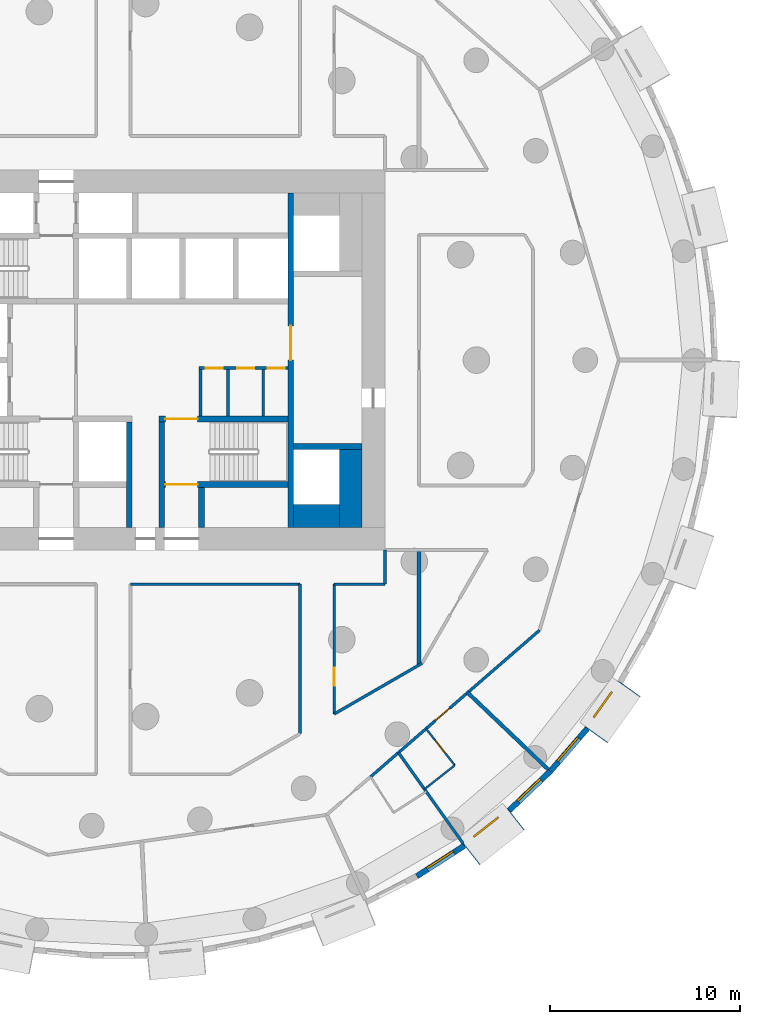
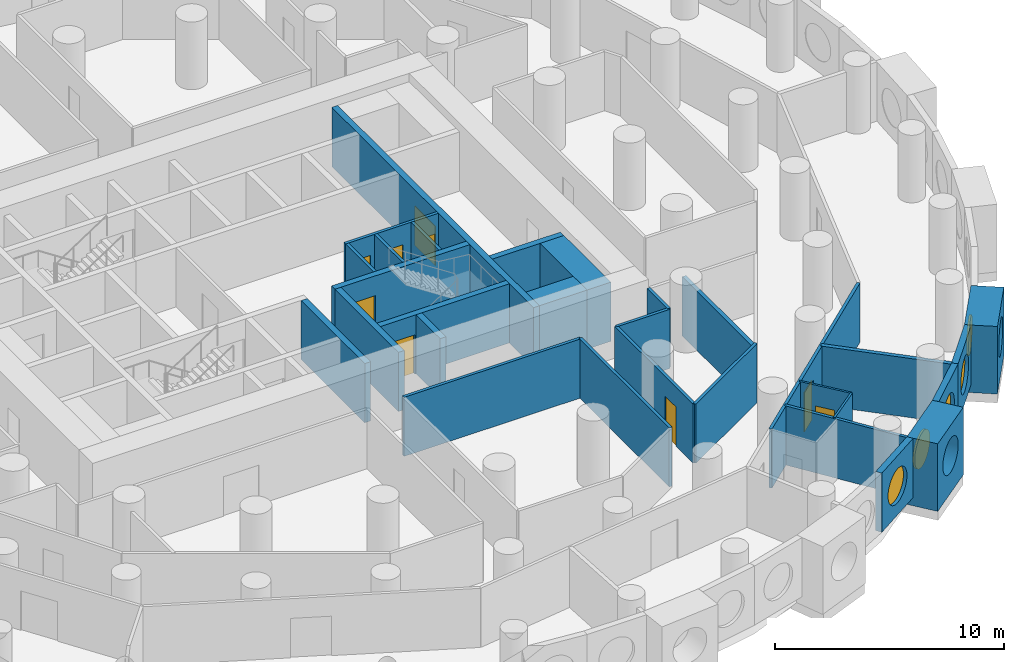
# One storey, part 5 of 11: 30 walls, 9 doors, 5 windows, 14 openings.
"""IFC4 building model written with IfcOpenShell, lengths in metres."""

from ifc_helpers import new_model, si_unit, direction, frame, frame_2d, origin, origin_2d, place, context, subcontext, project, spatial, rectangle, circle, extrude, material, layer, layer_set, type_object, element, fill, save


model = new_model("IFC4")

# Units and contexts
model_context = context("Model", 3, precision=1e-05, world=origin(), true_north=direction((0.0, 1.0)))
body_context = subcontext(model_context, "Body", "Model", "MODEL_VIEW")
ifc_project = project(units=[si_unit("LENGTHUNIT", "METRE"), si_unit("AREAUNIT", "SQUARE_METRE"), si_unit("VOLUMEUNIT", "CUBIC_METRE"), si_unit("PLANEANGLEUNIT", "RADIAN"), si_unit("MASSUNIT", "GRAM", prefix="KILO")], contexts=[model_context])

# Site, building, storey
site_placement = place(None, origin())
site = spatial("IfcSite", under=ifc_project, at=site_placement, CompositionType="ELEMENT")
building_placement = place(site_placement, origin())
building = spatial("IfcBuilding", under=site, at=building_placement, Name="Tracery Tower", CompositionType="ELEMENT")
storey_placement = place(building_placement, frame((0.0, 0.0, 64.199951171875)))
storey = spatial("IfcBuildingStorey", under=building, at=storey_placement, Name="L15", CompositionType="ELEMENT", Elevation=64.199951171875)

# Wall
ifc_material_1 = material(Name="Plasterboard on steel studs", Category="steel")
ifc_layer_1 = layer(ifc_material_1, 0.14990234375)
ifc_layer_set_1 = layer_set([ifc_layer_1], Name="Core room partition 150")
wall_type_1 = type_object("IfcWallType", Name="Core room partition 150", PredefinedType="SOLIDWALL", material=ifc_layer_set_1)
wall_1_placement = place(storey_placement, frame((4.300048828125, -2.949951171875, 0.0), z_axis=(0.0, 0.0, 1.0), x_axis=(0.0, 1.0, 0.0)))
element("IfcWall", 1, at=wall_1_placement, inside=storey, type_object=wall_type_1, Name="L15 slot W", PredefinedType="SOLIDWALL", context=body_context, shape_type="SweptSolid", body=[
    extrude(rectangle(XDim=2.449951171875, YDim=0.14990234375, at=frame_2d((1.22509765625, 0.0))), origin(), (0.0, 0.0, 1.0), 3.150146484375),
])

# Wall, openings, doors
wall_2_placement = place(storey_placement, frame((4.22509765625, -0.425048828125, 0.0), z_axis=(0.0, 0.0, 1.0), x_axis=(1.0, 0.0, 0.0)))
wall_2 = element("IfcWall", 2, at=wall_2_placement, inside=storey, type_object=wall_type_1, Name="L15 slot N", PredefinedType="SOLIDWALL", context=body_context, shape_type="SweptSolid", body=[
    extrude(rectangle(XDim=4.6748046875, YDim=0.14990234375, at=frame_2d((2.33740234375, 0.0))), origin(), (0.0, 0.0, 1.0), 3.150146484375),
])
opening_1_placement = place(wall_2_placement, frame((0.35009765625, 0.0, 0.0)))
opening_1 = element("IfcOpeningElement", 3, at=opening_1_placement, cuts=wall_2, Name="Opening KD27", PredefinedType="OPENING", context=body_context, shape_type="SweptSolid", body=[
    extrude(rectangle(XDim=0.89990234375, YDim=2.10009765625, at=frame_2d((0.449951171875, 1.050048828125))), frame((0.0, 0.074951171875, 0.0), z_axis=(0.0, -1.0, 0.0), x_axis=(1.0, 0.0, 0.0)), (0.0, 0.0, 1.0), 0.14990234375),
])
opening_2_placement = place(wall_2_placement, frame((2.0, 0.0, 0.0)))
opening_2 = element("IfcOpeningElement", 4, at=opening_2_placement, cuts=wall_2, Name="Opening KD21", PredefinedType="OPENING", context=body_context, shape_type="SweptSolid", body=[
    extrude(rectangle(XDim=0.89990234375, YDim=2.10009765625, at=frame_2d((0.449951171875, 1.050048828125))), frame((0.0, 0.074951171875, 0.0), z_axis=(0.0, -1.0, 0.0), x_axis=(1.0, 0.0, 0.0)), (0.0, 0.0, 1.0), 0.14990234375),
])
opening_3_placement = place(wall_2_placement, frame((3.612548828125, 0.0, 0.0)))
opening_3 = element("IfcOpeningElement", 5, at=opening_3_placement, cuts=wall_2, Name="Opening KD27", PredefinedType="OPENING", context=body_context, shape_type="SweptSolid", body=[
    extrude(rectangle(XDim=0.89990234375, YDim=2.10009765625, at=frame_2d((0.449951171875, 1.050048828125))), frame((0.0, 0.074951171875, 0.0), z_axis=(0.0, -1.0, 0.0), x_axis=(1.0, 0.0, 0.0)), (0.0, 0.0, 1.0), 0.14990234375),
])
ifc_material_2 = material(Name="Timber door leaf", Category="wood")
door_type_1 = type_object("IfcDoorType", Name="Core WC door 900", OperationType="NOTDEFINED", PredefinedType="DOOR", material=ifc_material_2)
door_1_placement = place(opening_2_placement, origin())
door_1 = element("IfcDoor", 6, at=door_1_placement, inside=storey, type_object=door_type_1, Name="Core door", OperationType="SINGLE_SWING_LEFT", OverallHeight=2.10009765625, OverallWidth=0.89990234375, PredefinedType="DOOR", context=body_context, shape_type="SweptSolid", body=[
    extrude(rectangle(XDim=0.89990234375, YDim=2.10009765625, at=frame_2d((0.449951171875, 1.050048828125))), frame((0.0, 0.02490234375, 0.0), z_axis=(0.0, -1.0, 0.0), x_axis=(1.0, 0.0, 0.0)), (0.0, 0.0, 1.0), 0.050048828125),
])
fill(opening_2, door_1)
ifc_material_3 = material(Name="Timber door leaf", Category="wood")
door_type_2 = type_object("IfcDoorType", Name="Core store door 900", OperationType="NOTDEFINED", PredefinedType="DOOR", material=ifc_material_3)
door_2_placement = place(opening_1_placement, origin())
door_2 = element("IfcDoor", 7, at=door_2_placement, inside=storey, type_object=door_type_2, Name="Core door", OperationType="SINGLE_SWING_RIGHT", OverallHeight=2.10009765625, OverallWidth=0.89990234375, PredefinedType="DOOR", context=body_context, shape_type="SweptSolid", body=[
    extrude(rectangle(XDim=0.89990234375, YDim=2.10009765625, at=frame_2d((0.449951171875, 1.050048828125))), frame((0.0, 0.02490234375, 0.0), z_axis=(0.0, -1.0, 0.0), x_axis=(1.0, 0.0, 0.0)), (0.0, 0.0, 1.0), 0.050048828125),
])
fill(opening_1, door_2)
door_3_placement = place(opening_3_placement, origin())
door_3 = element("IfcDoor", 8, at=door_3_placement, inside=storey, type_object=door_type_2, Name="Core door", OperationType="SINGLE_SWING_RIGHT", OverallHeight=2.10009765625, OverallWidth=0.89990234375, PredefinedType="DOOR", context=body_context, shape_type="SweptSolid", body=[
    extrude(rectangle(XDim=0.89990234375, YDim=2.10009765625, at=frame_2d((0.449951171875, 1.050048828125))), frame((0.0, 0.02490234375, 0.0), z_axis=(0.0, -1.0, 0.0), x_axis=(1.0, 0.0, 0.0)), (0.0, 0.0, 1.0), 0.050048828125),
])
fill(opening_3, door_3)

# Walls
for number, where, z_axis, x_axis, name in (
    (9, (5.75, -2.949951171875, 0.0), (0.0, 0.0, 1.0), (0.0, 1.0, 0.0), "L15 slot sep 1"),
    (10, (7.60009765625, -2.949951171875, 0.0), (0.0, 0.0, 1.0), (0.0, 1.0, 0.0), "L15 slot sep 2"),
):
    element("IfcWall", number, at=place(storey_placement, frame(where, z_axis=z_axis, x_axis=x_axis)), inside=storey, type_object=wall_type_1, Name=name, PredefinedType="SOLIDWALL", context=body_context, shape_type="SweptSolid", body=[
        extrude(rectangle(XDim=2.449951171875, YDim=0.14990234375, at=frame_2d((1.22509765625, 0.0))), origin(), (0.0, 0.0, 1.0), 3.150146484375),
    ])
ifc_material_4 = material(Name="Concrete C60/75", Category="concrete")
ifc_layer_2 = layer(ifc_material_4, 1.199951171875)
ifc_layer_set_2 = layer_set([ifc_layer_2], Name="Core strip wall 1200 C60")
wall_type_2 = type_object("IfcWallType", Name="Core strip wall 1200 C60", PredefinedType="SOLIDWALL", material=ifc_layer_set_2)
wall_3_placement = place(storey_placement, frame((12.199951171875, -8.800048828125, 0.0), z_axis=(0.0, 0.0, 1.0), x_axis=(0.0, 1.0, 0.0)))
element("IfcWall", 11, at=wall_3_placement, inside=storey, type_object=wall_type_2, Name="L15 wing strip +1 -9.4", PredefinedType="SOLIDWALL", context=body_context, shape_type="SweptSolid", body=[
    extrude(rectangle(XDim=4.10009765625, YDim=1.199951171875, at=frame_2d((2.050048828125, 0.0))), origin(), (0.0, 0.0, 1.0), 3.150146484375),
])
wall_4_placement = place(storey_placement, frame((9.199951171875, -8.199951171875, 0.0), z_axis=(0.0, 0.0, 1.0), x_axis=(1.0, 0.0, 0.0)))
element("IfcWall", 12, at=wall_4_placement, inside=storey, type_object=wall_type_2, Name="L15 wing corner +1 -8.2", PredefinedType="SOLIDWALL", context=body_context, shape_type="SweptSolid", body=[
    extrude(rectangle(XDim=2.400146484375, YDim=1.199951171875, at=frame_2d((1.2001953125, 0.0))), origin(), (0.0, 0.0, 1.0), 3.150146484375),
])

# Wall, opening, window
ifc_material_5 = material(Name="Precast concrete C50/60", Category="concrete")
ifc_layer_3 = layer(ifc_material_5, 1.449951171875)
ifc_layer_set_3 = layer_set([ifc_layer_3], Name="Deep-set bay unit 3000 x 3600, slab edge 450")
wall_type_3 = type_object("IfcWallType", Name="Deep-set bay unit 3000 x 3600, slab edge 450", PredefinedType="ELEMENTEDWALL", material=ifc_layer_set_3)
wall_5_placement = place(storey_placement, frame((18.548828125, -26.01318359375, -0.449951171875), z_axis=(0.0, 0.0, 1.0), x_axis=(0.786049992888, 0.618162930529, 0.0)))
wall_5 = element("IfcWall", 13, at=wall_5_placement, inside=storey, type_object=wall_type_3, Name="Deep-set bay unit 57 at L15", PredefinedType="ELEMENTEDWALL", context=body_context, shape_type="SweptSolid", body=[
    extrude(rectangle(XDim=3.0, YDim=1.449951171875, at=frame_2d((1.5, 0.0))), origin(), (0.0, 0.0, 1.0), 3.60009765625),
])
opening_4_placement = place(wall_5_placement, frame((1.5, 0.0, 2.0)))
opening_4 = element("IfcOpeningElement", 14, at=opening_4_placement, cuts=wall_5, Name="Opening WN1", PredefinedType="OPENING", context=body_context, shape_type="SweptSolid", body=[
    extrude(circle(Radius=0.9000244140625, at=origin_2d()), frame((0.0, 0.73486328125, 0.0), z_axis=(0.0, -1.0, 0.0), x_axis=(1.0, 0.0, 0.0)), (0.0, 0.0, 1.0), 1.469970703125),
])
ifc_material_6 = material(Name="Aluminium frame with tinted double glazing", Category="aluminium")
window_type = type_object("IfcWindowType", Name="Round window 1800", PartitioningType="SINGLE_PANEL", PredefinedType="WINDOW", material=ifc_material_6)
window_1_placement = place(opening_4_placement, origin())
window_1 = element("IfcWindow", 15, at=window_1_placement, inside=storey, type_object=window_type, Name="Round window 57 at L15", OverallHeight=1.800048828125, OverallWidth=1.800048828125, PartitioningType="SINGLE_PANEL", PredefinedType="WINDOW", context=body_context, shape_type="SweptSolid", body=[
    extrude(circle(Radius=0.9000244140625, at=origin_2d()), frame((0.0, 0.69482421875, 0.0), z_axis=(0.0, -1.0, 0.0), x_axis=(1.0, 0.0, 0.0)), (0.0, 0.0, 1.0), 0.10009765625),
])
fill(opening_4, window_1)

wall_6_placement = place(storey_placement, frame((25.126220703125, -19.733642578125, -0.449951171875), z_axis=(0.0, 0.0, 1.0), x_axis=(0.580090570606, 0.814551981088, 0.0)))
wall_6 = element("IfcWall", 16, at=wall_6_placement, inside=storey, type_object=wall_type_3, Name="Deep-set bay unit 60 at L15", PredefinedType="ELEMENTEDWALL", context=body_context, shape_type="SweptSolid", body=[
    extrude(rectangle(XDim=3.0, YDim=1.449951171875, at=frame_2d((1.5, 0.0))), origin(), (0.0, 0.0, 1.0), 3.60009765625),
])
opening_5_placement = place(wall_6_placement, frame((1.5, 0.0, 2.0)))
opening_5 = element("IfcOpeningElement", 17, at=opening_5_placement, cuts=wall_6, Name="Opening WN1", PredefinedType="OPENING", context=body_context, shape_type="SweptSolid", body=[
    extrude(circle(Radius=0.9000244140625, at=origin_2d()), frame((0.0, 0.73486328125, 0.0), z_axis=(0.0, -1.0, 0.0), x_axis=(1.0, 0.0, 0.0)), (0.0, 0.0, 1.0), 1.469970703125),
])
window_2_placement = place(opening_5_placement, origin())
window_2 = element("IfcWindow", 18, at=window_2_placement, inside=storey, type_object=window_type, Name="Round window 60 at L15", OverallHeight=1.800048828125, OverallWidth=1.800048828125, PartitioningType="SINGLE_PANEL", PredefinedType="WINDOW", context=body_context, shape_type="SweptSolid", body=[
    extrude(circle(Radius=0.9000244140625, at=origin_2d()), frame((0.0, 0.69482421875, 0.0), z_axis=(0.0, -1.0, 0.0), x_axis=(1.0, 0.0, 0.0)), (0.0, 0.0, 1.0), 0.10009765625),
])
fill(opening_5, window_2)

ifc_material_7 = material(Name="Precast concrete C50/60", Category="concrete")
ifc_layer_4 = layer(ifc_material_7, 0.300048828125)
ifc_layer_set_4 = layer_set([ifc_layer_4], Name="Facade panel 3000 x 3150")
wall_type_4 = type_object("IfcWallType", Name="Facade panel 3000 x 3150", PredefinedType="SOLIDWALL", material=ifc_layer_set_4)
wall_7_placement = place(storey_placement, frame((15.687255859375, -27.171142578125, 0.0), z_axis=(0.0, 0.0, 1.0), x_axis=(0.84122372879, 0.540687190639, 0.0)))
wall_7 = element("IfcWall", 19, at=wall_7_placement, inside=storey, type_object=wall_type_4, Name="Facade panel 56 at L15", PredefinedType="SOLIDWALL", context=body_context, shape_type="SweptSolid", body=[
    extrude(rectangle(XDim=2.979736328125, YDim=0.300048828125, at=frame_2d((1.48974609375, 0.0))), origin(), (0.0, 0.0, 1.0), 3.150146484375),
])
opening_6_placement = place(wall_7_placement, frame((1.48974609375, 0.0, 1.5498046875)))
opening_6 = element("IfcOpeningElement", 20, at=opening_6_placement, cuts=wall_7, Name="Opening WN1", PredefinedType="OPENING", context=body_context, shape_type="SweptSolid", body=[
    extrude(circle(Radius=0.9000244140625, at=origin_2d()), frame((0.0, 0.159912109375, 0.0), z_axis=(0.0, -1.0, 0.0), x_axis=(1.0, 0.0, 0.0)), (0.0, 0.0, 1.0), 0.320068359375),
])
window_3_placement = place(opening_6_placement, origin())
window_3 = element("IfcWindow", 21, at=window_3_placement, inside=storey, type_object=window_type, Name="Round window 56 at L15", OverallHeight=1.800048828125, OverallWidth=1.800048828125, PartitioningType="SINGLE_PANEL", PredefinedType="WINDOW", context=body_context, shape_type="SweptSolid", body=[
    extrude(circle(Radius=0.9000244140625, at=origin_2d()), frame((0.0, 0.1201171875, 0.0), z_axis=(0.0, -1.0, 0.0), x_axis=(1.0, 0.0, 0.0)), (0.0, 0.0, 1.0), 0.10009765625),
])
fill(opening_6, window_3)

wall_8_placement = place(storey_placement, frame((20.55029296875, -23.70703125, 0.0), z_axis=(0.0, 0.0, 1.0), x_axis=(0.723744206617, 0.690068346896, 0.0)))
wall_8 = element("IfcWall", 22, at=wall_8_placement, inside=storey, type_object=wall_type_4, Name="Facade panel 58 at L15", PredefinedType="SOLIDWALL", context=body_context, shape_type="SweptSolid", body=[
    extrude(rectangle(XDim=2.979736328125, YDim=0.300048828125, at=frame_2d((1.48974609375, 0.0))), origin(), (0.0, 0.0, 1.0), 3.150146484375),
])
opening_7_placement = place(wall_8_placement, frame((1.48974609375, 0.0, 1.5498046875)))
opening_7 = element("IfcOpeningElement", 23, at=opening_7_placement, cuts=wall_8, Name="Opening WN1", PredefinedType="OPENING", context=body_context, shape_type="SweptSolid", body=[
    extrude(circle(Radius=0.9000244140625, at=origin_2d()), frame((0.0, 0.159912109375, 0.0), z_axis=(0.0, -1.0, 0.0), x_axis=(1.0, 0.0, 0.0)), (0.0, 0.0, 1.0), 0.320068359375),
])
window_4_placement = place(opening_7_placement, origin())
window_4 = element("IfcWindow", 24, at=window_4_placement, inside=storey, type_object=window_type, Name="Round window 58 at L15", OverallHeight=1.800048828125, OverallWidth=1.800048828125, PartitioningType="SINGLE_PANEL", PredefinedType="WINDOW", context=body_context, shape_type="SweptSolid", body=[
    extrude(circle(Radius=0.9000244140625, at=origin_2d()), frame((0.0, 0.1201171875, 0.0), z_axis=(0.0, -1.0, 0.0), x_axis=(1.0, 0.0, 0.0)), (0.0, 0.0, 1.0), 0.10009765625),
])
fill(opening_7, window_4)

wall_9_placement = place(storey_placement, frame((22.706787109375, -21.65087890625, 0.0), z_axis=(0.0, 0.0, 1.0), x_axis=(0.654830712471, 0.755775587066, 0.0)))
wall_9 = element("IfcWall", 25, at=wall_9_placement, inside=storey, type_object=wall_type_4, Name="Facade panel 59 at L15", PredefinedType="SOLIDWALL", context=body_context, shape_type="SweptSolid", body=[
    extrude(rectangle(XDim=2.979736328125, YDim=0.300048828125, at=frame_2d((1.48974609375, 0.0))), origin(), (0.0, 0.0, 1.0), 3.150146484375),
])
opening_8_placement = place(wall_9_placement, frame((1.48974609375, 0.0, 1.5498046875)))
opening_8 = element("IfcOpeningElement", 26, at=opening_8_placement, cuts=wall_9, Name="Opening WN1", PredefinedType="OPENING", context=body_context, shape_type="SweptSolid", body=[
    extrude(circle(Radius=0.9000244140625, at=origin_2d()), frame((0.0, 0.159912109375, 0.0), z_axis=(0.0, -1.0, 0.0), x_axis=(1.0, 0.0, 0.0)), (0.0, 0.0, 1.0), 0.320068359375),
])
window_5_placement = place(opening_8_placement, origin())
window_5 = element("IfcWindow", 27, at=window_5_placement, inside=storey, type_object=window_type, Name="Round window 59 at L15", OverallHeight=1.800048828125, OverallWidth=1.800048828125, PartitioningType="SINGLE_PANEL", PredefinedType="WINDOW", context=body_context, shape_type="SweptSolid", body=[
    extrude(circle(Radius=0.9000244140625, at=origin_2d()), frame((0.0, 0.1201171875, 0.0), z_axis=(0.0, -1.0, 0.0), x_axis=(1.0, 0.0, 0.0)), (0.0, 0.0, 1.0), 0.10009765625),
])
fill(opening_8, window_5)

# Wall
ifc_material_8 = material(Name="Plasterboard on steel studs", Category="steel")
ifc_layer_5 = layer(ifc_material_8, 0.10009765625)
ifc_layer_set_5 = layer_set([ifc_layer_5], Name="Partition 100 wet wall")
wall_type_5 = type_object("IfcWallType", Name="Partition 100 wet wall", PredefinedType="PARTITIONING", material=ifc_layer_set_5)
wall_10_placement = place(storey_placement, frame((16.0859375, -22.589111328125, 0.0), z_axis=(0.0, 0.0, 1.0), x_axis=(0.785984904201, 0.618245687707, 0.0)))
element("IfcWall", 28, at=wall_10_placement, inside=storey, type_object=wall_type_5, Name="Wet wall RA4-090", PredefinedType="PARTITIONING", context=body_context, shape_type="SweptSolid", body=[
    extrude(rectangle(XDim=2.033203125, YDim=0.10009765625, at=frame_2d((1.0166015625, 0.0))), origin(), (0.0, 0.0, 1.0), 3.150146484375),
])

# Wall, opening, door
wall_11_placement = place(storey_placement, frame((16.16796875, -19.404052734375, 0.0), z_axis=(0.0, 0.0, 1.0), x_axis=(0.618142414415, -0.786066126672, 0.0)))
wall_11 = element("IfcWall", 29, at=wall_11_placement, inside=storey, type_object=wall_type_5, Name="Wet wall RA4-091", PredefinedType="PARTITIONING", context=body_context, shape_type="SweptSolid", body=[
    extrude(rectangle(XDim=2.45263671875, YDim=0.10009765625, at=frame_2d((1.226318359375, 0.0))), origin(), (0.0, 0.0, 1.0), 3.150146484375),
])
opening_9_placement = place(wall_11_placement, frame((0.776611328125, 0.0, 0.0)))
opening_9 = element("IfcOpeningElement", 30, at=opening_9_placement, cuts=wall_11, Name="Opening RA4-32", PredefinedType="OPENING", context=body_context, shape_type="SweptSolid", body=[
    extrude(rectangle(XDim=0.89990234375, YDim=2.0400390625, at=frame_2d((0.449951171875, 1.02001953125))), frame((0.0, 0.050048828125, 0.0), z_axis=(0.0, -1.0, 0.0), x_axis=(1.0, 0.0, 0.0)), (0.0, 0.0, 1.0), 0.10009765625),
])
ifc_material_9 = material(Name="Timber door leaf", Category="wood")
door_type_3 = type_object("IfcDoorType", Name="Door en-suite 900", OperationType="NOTDEFINED", PredefinedType="DOOR", material=ifc_material_9)
door_4_placement = place(opening_9_placement, origin())
door_4 = element("IfcDoor", 31, at=door_4_placement, inside=storey, type_object=door_type_3, Name="En-suite door RA4-32", OperationType="SINGLE_SWING_LEFT", OverallHeight=2.0400390625, OverallWidth=0.89990234375, PredefinedType="DOOR", context=body_context, shape_type="SweptSolid", body=[
    extrude(rectangle(XDim=0.89990234375, YDim=2.0400390625, at=frame_2d((0.449951171875, 1.02001953125))), frame((0.0, 0.02490234375, 0.0), z_axis=(0.0, -1.0, 0.0), x_axis=(1.0, 0.0, 0.0)), (0.0, 0.0, 1.0), 0.050048828125),
])
fill(opening_9, door_4)

# Walls
ifc_material_10 = material(Name="Plasterboard on steel studs", Category="steel")
ifc_layer_6 = layer(ifc_material_10, 0.14990234375)
ifc_layer_set_6 = layer_set([ifc_layer_6], Name="Partition 150 acoustic unit wall")
wall_type_6 = type_object("IfcWallType", Name="Partition 150 acoustic unit wall", PredefinedType="PARTITIONING", material=ifc_layer_set_6)
wall_12_placement = place(storey_placement, frame((14.71533203125, -20.663818359375, 0.0), z_axis=(0.0, 0.0, 1.0), x_axis=(0.57995989616, -0.814645026282, 0.0)))
element("IfcWall", 32, at=wall_12_placement, inside=storey, type_object=wall_type_6, Name="Unit wall RA4-089", PredefinedType="PARTITIONING", context=body_context, shape_type="SweptSolid", body=[
    extrude(rectangle(XDim=5.85693359375, YDim=0.14990234375, at=frame_2d((2.928466796875, 0.0))), origin(), (0.0, 0.0, 1.0), 3.150146484375),
])
ifc_material_11 = material(Name="Plasterboard on steel studs", Category="steel")
ifc_layer_7 = layer(ifc_material_11, 0.14990234375)
ifc_layer_set_7 = layer_set([ifc_layer_7], Name="Partition 150 corridor wall")
wall_type_7 = type_object("IfcWallType", Name="Partition 150 corridor wall", PredefinedType="PARTITIONING", material=ifc_layer_set_7)
wall_13_placement = place(storey_placement, frame((0.60400390625, -11.800048828125, 0.0), z_axis=(0.0, 0.0, 1.0), x_axis=(1.0, 0.0, 0.0)))
element("IfcWall", 33, at=wall_13_placement, inside=storey, type_object=wall_type_7, Name="Corridor wall RA4-007", PredefinedType="PARTITIONING", context=body_context, shape_type="SweptSolid", body=[
    extrude(rectangle(XDim=8.93603515625, YDim=0.14990234375, at=frame_2d((4.468017578125, 0.0))), origin(), (0.0, 0.0, 1.0), 3.150146484375),
])
wall_14_placement = place(storey_placement, frame((14.0, -11.800048828125, 0.0), z_axis=(0.0, 0.0, 1.0), x_axis=(0.0, 1.0, 0.0)))
element("IfcWall", 34, at=wall_14_placement, inside=storey, type_object=wall_type_7, Name="Corridor wall RA4-008", PredefinedType="PARTITIONING", context=body_context, shape_type="SweptSolid", body=[
    extrude(rectangle(XDim=1.800048828125, YDim=0.14990234375, at=frame_2d((0.89990234375, 0.0))), origin(), (0.0, 0.0, 1.0), 3.150146484375),
])
wall_15_placement = place(storey_placement, frame((11.33203125, -11.800048828125, 0.0), z_axis=(0.0, 0.0, 1.0), x_axis=(1.0, 0.0, 0.0)))
element("IfcWall", 35, at=wall_15_placement, inside=storey, type_object=wall_type_7, Name="Corridor wall RA4-009", PredefinedType="PARTITIONING", context=body_context, shape_type="SweptSolid", body=[
    extrude(rectangle(XDim=2.66796875, YDim=0.14990234375, at=frame_2d((1.333984375, 0.0))), origin(), (0.0, 0.0, 1.0), 3.150146484375),
])

# Wall, opening, door
wall_16_placement = place(storey_placement, frame((13.247314453125, -21.939453125, 0.0), z_axis=(0.0, 0.0, 1.0), x_axis=(0.755420750547, 0.655240024451, 0.0)))
wall_16 = element("IfcWall", 36, at=wall_16_placement, inside=storey, type_object=wall_type_7, Name="Corridor wall RA4-024", PredefinedType="PARTITIONING", context=body_context, shape_type="SweptSolid", body=[
    extrude(rectangle(XDim=11.770751953125, YDim=0.14990234375, at=frame_2d((5.88525390625, 0.0))), origin(), (0.0, 0.0, 1.0), 3.150146484375),
])
opening_10_placement = place(wall_16_placement, frame((4.512939453125, 0.0, 0.0)))
opening_10 = element("IfcOpeningElement", 37, at=opening_10_placement, cuts=wall_16, Name="Opening RA4-33", PredefinedType="OPENING", context=body_context, shape_type="SweptSolid", body=[
    extrude(rectangle(XDim=1.0, YDim=2.10009765625, at=frame_2d((0.5, 1.050048828125))), frame((0.0, 0.074951171875, 0.0), z_axis=(0.0, -1.0, 0.0), x_axis=(1.0, 0.0, 0.0)), (0.0, 0.0, 1.0), 0.14990234375),
])
ifc_material_12 = material(Name="Timber door leaf", Category="wood")
door_type_4 = type_object("IfcDoorType", Name="Door unit entrance 1000", OperationType="NOTDEFINED", PredefinedType="DOOR", material=ifc_material_12)
door_5_placement = place(opening_10_placement, origin())
door_5 = element("IfcDoor", 38, at=door_5_placement, inside=storey, type_object=door_type_4, Name="Unit entrance door RA4-33", OperationType="SINGLE_SWING_LEFT", OverallHeight=2.10009765625, OverallWidth=1.0, PredefinedType="DOOR", context=body_context, shape_type="SweptSolid", body=[
    extrude(rectangle(XDim=1.0, YDim=2.10009765625, at=frame_2d((0.5, 1.050048828125))), frame((0.0, 0.02490234375, 0.0), z_axis=(0.0, -1.0, 0.0), x_axis=(1.0, 0.0, 0.0)), (0.0, 0.0, 1.0), 0.050048828125),
])
fill(opening_10, door_5)

# Wall
wall_17_placement = place(storey_placement, frame((9.535888671875, -19.6689453125, 0.0), z_axis=(0.0, 0.0, 1.0), x_axis=(0.0, 1.0, 0.0)))
element("IfcWall", 39, at=wall_17_placement, inside=storey, type_object=wall_type_7, Name="Corridor wall RA4-055", PredefinedType="PARTITIONING", context=body_context, shape_type="SweptSolid", body=[
    extrude(rectangle(XDim=7.868896484375, YDim=0.14990234375, at=frame_2d((3.9345703125, 0.0))), origin(), (0.0, 0.0, 1.0), 3.150146484375),
])

# Wall, opening, door
wall_18_placement = place(storey_placement, frame((11.3359375, -18.6298828125, 0.0), z_axis=(0.0, 0.0, 1.0), x_axis=(0.0, 1.0, 0.0)))
wall_18 = element("IfcWall", 40, at=wall_18_placement, inside=storey, type_object=wall_type_7, Name="Corridor wall RA4-056", PredefinedType="PARTITIONING", context=body_context, shape_type="SweptSolid", body=[
    extrude(rectangle(XDim=6.829833984375, YDim=0.14990234375, at=frame_2d((3.4150390625, 0.0))), origin(), (0.0, 0.0, 1.0), 3.150146484375),
])
opening_11_placement = place(wall_18_placement, frame((1.489990234375, 0.0, 0.0)))
opening_11 = element("IfcOpeningElement", 41, at=opening_11_placement, cuts=wall_18, Name="Opening RA4-06", PredefinedType="OPENING", context=body_context, shape_type="SweptSolid", body=[
    extrude(rectangle(XDim=0.949951171875, YDim=2.10009765625, at=frame_2d((0.47509765625, 1.050048828125))), frame((0.0, 0.074951171875, 0.0), z_axis=(0.0, -1.0, 0.0), x_axis=(1.0, 0.0, 0.0)), (0.0, 0.0, 1.0), 0.14990234375),
])
ifc_material_13 = material(Name="Timber door leaf", Category="wood")
door_type_5 = type_object("IfcDoorType", Name="Door store 950", OperationType="NOTDEFINED", PredefinedType="DOOR", material=ifc_material_13)
door_6_placement = place(opening_11_placement, origin())
door_6 = element("IfcDoor", 42, at=door_6_placement, inside=storey, type_object=door_type_5, Name="Store door RA4-06", OperationType="SINGLE_SWING_RIGHT", OverallHeight=2.10009765625, OverallWidth=0.949951171875, PredefinedType="DOOR", context=body_context, shape_type="SweptSolid", body=[
    extrude(rectangle(XDim=0.949951171875, YDim=2.10009765625, at=frame_2d((0.47509765625, 1.050048828125))), frame((0.0, 0.02490234375, 0.0), z_axis=(0.0, -1.0, 0.0), x_axis=(1.0, 0.0, 0.0)), (0.0, 0.0, 1.0), 0.050048828125),
])
fill(opening_11, door_6)

# Walls
wall_19_placement = place(storey_placement, frame((11.3359375, -18.6298828125, 0.0), z_axis=(0.0, 0.0, 1.0), x_axis=(0.866056911224, 0.499945423543, 0.0)))
element("IfcWall", 43, at=wall_19_placement, inside=storey, type_object=wall_type_7, Name="Corridor wall RA4-057", PredefinedType="PARTITIONING", context=body_context, shape_type="SweptSolid", body=[
    extrude(rectangle(XDim=5.33935546875, YDim=0.14990234375, at=frame_2d((2.669677734375, 0.0))), origin(), (0.0, 0.0, 1.0), 3.150146484375),
])
ifc_material_14 = material(Name="Plasterboard on steel studs", Category="steel")
ifc_layer_8 = layer(ifc_material_14, 0.199951171875)
ifc_layer_set_8 = layer_set([ifc_layer_8], Name="Partition 200 compartment wall")
wall_type_8 = type_object("IfcWallType", Name="Partition 200 compartment wall", PredefinedType="PARTITIONING", material=ifc_layer_set_8)
wall_20_placement = place(storey_placement, frame((15.800048828125, -16.052978515625, 0.0), z_axis=(0.0, 0.0, 1.0), x_axis=(0.0, 1.0, 0.0)))
element("IfcWall", 44, at=wall_20_placement, inside=storey, type_object=wall_type_8, Name="Compartment wall RA4-064", PredefinedType="PARTITIONING", context=body_context, shape_type="SweptSolid", body=[
    extrude(rectangle(XDim=6.052978515625, YDim=0.199951171875, at=frame_2d((3.0263671875, 0.0))), origin(), (0.0, 0.0, 1.0), 3.150146484375),
])
wall_21_placement = place(storey_placement, frame((18.35888671875, -17.506103515625, 0.0), z_axis=(0.0, 0.0, 1.0), x_axis=(0.723808715798, -0.690000683286, 0.0)))
element("IfcWall", 45, at=wall_21_placement, inside=storey, type_object=wall_type_8, Name="Compartment wall RA4-092", PredefinedType="PARTITIONING", context=body_context, shape_type="SweptSolid", body=[
    extrude(rectangle(XDim=5.8564453125, YDim=0.199951171875, at=frame_2d((2.92822265625, 0.0))), origin(), (0.0, 0.0, 1.0), 3.150146484375),
])
ifc_material_15 = material(Name="Concrete C60/75", Category="concrete")
ifc_layer_9 = layer(ifc_material_15, 0.300048828125)
ifc_layer_set_9 = layer_set([ifc_layer_9], Name="Shaft wall 300 C60")
wall_type_9 = type_object("IfcWallType", Name="Shaft wall 300 C60", PredefinedType="SOLIDWALL", material=ifc_layer_set_9)
wall_22_placement = place(storey_placement, frame((0.550048828125, -8.800048828125, 0.0), z_axis=(0.0, 0.0, 1.0), x_axis=(0.0, 1.0, 0.0)))
element("IfcWall", 46, at=wall_22_placement, inside=storey, type_object=wall_type_9, Name="L15 OB2 E", PredefinedType="SOLIDWALL", context=body_context, shape_type="SweptSolid", body=[
    extrude(rectangle(XDim=5.550048828125, YDim=0.300048828125, at=frame_2d((2.77490234375, 0.0))), origin(), (0.0, 0.0, 1.0), 3.150146484375),
])
wall_23_placement = place(storey_placement, frame((4.35009765625, -8.800048828125, 0.0), z_axis=(0.0, 0.0, 1.0), x_axis=(0.0, 1.0, 0.0)))
element("IfcWall", 47, at=wall_23_placement, inside=storey, type_object=wall_type_9, Name="L15 band S +4.35", PredefinedType="SOLIDWALL", context=body_context, shape_type="SweptSolid", body=[
    extrude(rectangle(XDim=2.10009765625, YDim=0.300048828125, at=frame_2d((1.050048828125, 0.0))), origin(), (0.0, 0.0, 1.0), 3.150146484375),
])
wall_24_placement = place(storey_placement, frame((9.199951171875, -4.550048828125, 0.0), z_axis=(0.0, 0.0, 1.0), x_axis=(1.0, 0.0, 0.0)))
element("IfcWall", 48, at=wall_24_placement, inside=storey, type_object=wall_type_9, Name="L15 wing shaft wall +1 -4.55", PredefinedType="SOLIDWALL", context=body_context, shape_type="SweptSolid", body=[
    extrude(rectangle(XDim=3.60009765625, YDim=0.300048828125, at=frame_2d((1.800048828125, 0.0))), origin(), (0.0, 0.0, 1.0), 3.150146484375),
])

# Wall, opening, door
ifc_material_16 = material(Name="Concrete C60/75", Category="concrete")
ifc_layer_10 = layer(ifc_material_16, 0.300048828125)
ifc_layer_set_10 = layer_set([ifc_layer_10], Name="Stair wall 300 C60")
wall_type_10 = type_object("IfcWallType", Name="Stair wall 300 C60", PredefinedType="SOLIDWALL", material=ifc_layer_set_10)
wall_25_placement = place(storey_placement, frame((2.10009765625, -3.10009765625, 0.0), z_axis=(0.0, 0.0, 1.0), x_axis=(1.0, 0.0, 0.0)))
wall_25 = element("IfcWall", 49, at=wall_25_placement, inside=storey, type_object=wall_type_10, Name="L15 row S E", PredefinedType="SOLIDWALL", context=body_context, shape_type="SweptSolid", body=[
    extrude(rectangle(XDim=6.7998046875, YDim=0.300048828125, at=frame_2d((3.39990234375, 0.0))), origin(), (0.0, 0.0, 1.0), 3.150146484375),
])
opening_12_placement = place(wall_25_placement, frame((0.35009765625, 0.0, 0.0)))
opening_12 = element("IfcOpeningElement", 50, at=opening_12_placement, cuts=wall_25, Name="Opening KD3", PredefinedType="OPENING", context=body_context, shape_type="SweptSolid", body=[
    extrude(rectangle(XDim=1.699951171875, YDim=2.10009765625, at=frame_2d((0.85009765625, 1.050048828125))), frame((0.0, 0.14990234375, 0.0), z_axis=(0.0, -1.0, 0.0), x_axis=(1.0, 0.0, 0.0)), (0.0, 0.0, 1.0), 0.300048828125),
])
ifc_material_17 = material(Name="Steel fire door", Category="steel")
door_type_6 = type_object("IfcDoorType", Name="Core stair door 1700 double", OperationType="NOTDEFINED", PredefinedType="DOOR", material=ifc_material_17)
door_7_placement = place(opening_12_placement, origin())
door_7 = element("IfcDoor", 51, at=door_7_placement, inside=storey, type_object=door_type_6, Name="Stair door ST2", OperationType="DOUBLE_DOOR_SINGLE_SWING", OverallHeight=2.10009765625, OverallWidth=1.699951171875, PredefinedType="DOOR", context=body_context, shape_type="SweptSolid", body=[
    extrude(rectangle(XDim=1.699951171875, YDim=2.10009765625, at=frame_2d((0.85009765625, 1.050048828125))), frame((0.0, 0.02490234375, 0.0), z_axis=(0.0, -1.0, 0.0), x_axis=(1.0, 0.0, 0.0)), (0.0, 0.0, 1.0), 0.050048828125),
])
fill(opening_12, door_7)

# Wall
wall_26_placement = place(storey_placement, frame((2.25, -8.800048828125, 0.0), z_axis=(0.0, 0.0, 1.0), x_axis=(0.0, 1.0, 0.0)))
element("IfcWall", 52, at=wall_26_placement, inside=storey, type_object=wall_type_10, Name="L15 ST2 W", PredefinedType="SOLIDWALL", context=body_context, shape_type="SweptSolid", body=[
    extrude(rectangle(XDim=5.550048828125, YDim=0.300048828125, at=frame_2d((2.77490234375, 0.0))), origin(), (0.0, 0.0, 1.0), 3.150146484375),
])

# Wall, opening, door
wall_27_placement = place(storey_placement, frame((9.050048828125, -8.800048828125, 0.0), z_axis=(0.0, 0.0, 1.0), x_axis=(0.0, 1.0, 0.0)))
wall_27 = element("IfcWall", 53, at=wall_27_placement, inside=storey, type_object=wall_type_10, Name="L15 F wall +9", PredefinedType="SOLIDWALL", context=body_context, shape_type="SweptSolid", body=[
    extrude(rectangle(XDim=17.60009765625, YDim=0.300048828125, at=frame_2d((8.800048828125, 0.0))), origin(), (0.0, 0.0, 1.0), 3.150146484375),
])
opening_13_placement = place(wall_27_placement, frame((8.800048828125, 0.0, 0.0)))
opening_13 = element("IfcOpeningElement", 54, at=opening_13_placement, cuts=wall_27, Name="Opening KD13", PredefinedType="OPENING", context=body_context, shape_type="SweptSolid", body=[
    extrude(rectangle(XDim=1.800048828125, YDim=2.10009765625, at=frame_2d((0.89990234375, 1.050048828125))), frame((0.0, 0.14990234375, 0.0), z_axis=(0.0, -1.0, 0.0), x_axis=(1.0, 0.0, 0.0)), (0.0, 0.0, 1.0), 0.300048828125),
])
ifc_material_18 = material(Name="Steel fire door", Category="steel")
door_type_7 = type_object("IfcDoorType", Name="Core exit door 1800 double", OperationType="NOTDEFINED", PredefinedType="DOOR", material=ifc_material_18)
door_8_placement = place(opening_13_placement, origin())
door_8 = element("IfcDoor", 55, at=door_8_placement, inside=storey, type_object=door_type_7, Name="Core exit door", OperationType="DOUBLE_DOOR_SINGLE_SWING", OverallHeight=2.10009765625, OverallWidth=1.800048828125, PredefinedType="DOOR", context=body_context, shape_type="SweptSolid", body=[
    extrude(rectangle(XDim=1.800048828125, YDim=2.10009765625, at=frame_2d((0.89990234375, 1.050048828125))), frame((0.0, 0.02490234375, 0.0), z_axis=(0.0, -1.0, 0.0), x_axis=(1.0, 0.0, 0.0)), (0.0, 0.0, 1.0), 0.050048828125),
])
fill(opening_13, door_8)

wall_28_placement = place(storey_placement, frame((2.39990234375, -6.550048828125, 0.0), z_axis=(0.0, 0.0, 1.0), x_axis=(1.0, 0.0, 0.0)))
wall_28 = element("IfcWall", 56, at=wall_28_placement, inside=storey, type_object=wall_type_10, Name="L15 F S E", PredefinedType="SOLIDWALL", context=body_context, shape_type="SweptSolid", body=[
    extrude(rectangle(XDim=6.5, YDim=0.300048828125, at=frame_2d((3.25, 0.0))), origin(), (0.0, 0.0, 1.0), 3.150146484375),
])
opening_14_placement = place(wall_28_placement, frame((0.050048828125, 0.0, 0.0)))
opening_14 = element("IfcOpeningElement", 57, at=opening_14_placement, cuts=wall_28, Name="Opening KD3", PredefinedType="OPENING", context=body_context, shape_type="SweptSolid", body=[
    extrude(rectangle(XDim=1.699951171875, YDim=2.10009765625, at=frame_2d((0.85009765625, 1.050048828125))), frame((0.0, 0.14990234375, 0.0), z_axis=(0.0, -1.0, 0.0), x_axis=(1.0, 0.0, 0.0)), (0.0, 0.0, 1.0), 0.300048828125),
])
door_9_placement = place(opening_14_placement, origin())
door_9 = element("IfcDoor", 58, at=door_9_placement, inside=storey, type_object=door_type_6, Name="Stair door ST2 S", OperationType="DOUBLE_DOOR_SINGLE_SWING", OverallHeight=2.10009765625, OverallWidth=1.699951171875, PredefinedType="DOOR", context=body_context, shape_type="SweptSolid", body=[
    extrude(rectangle(XDim=1.699951171875, YDim=2.10009765625, at=frame_2d((0.85009765625, 1.050048828125))), frame((0.0, 0.02490234375, 0.0), z_axis=(0.0, -1.0, 0.0), x_axis=(1.0, 0.0, 0.0)), (0.0, 0.0, 1.0), 0.050048828125),
])
fill(opening_14, door_9)

save(model, "model.ifc")
